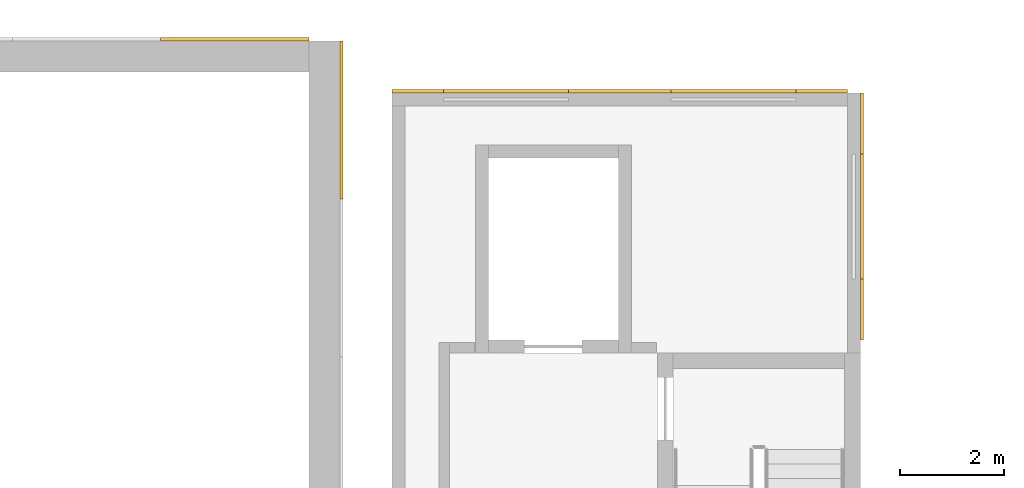
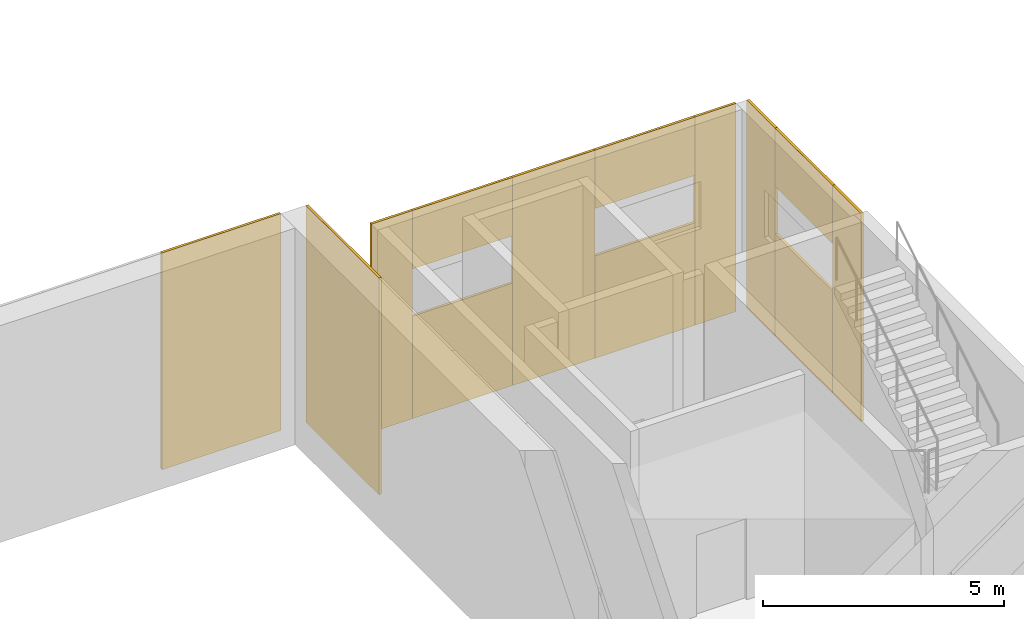
# One storey, part 99 of 112: 13 coverings.
"""IFC4 building model written with IfcOpenShell, lengths in metres."""

from ifc_helpers import new_model, si_unit, direction, frame, origin, origin_2d, place, context, subcontext, project, spatial, rectangle, extrude, material, layer, layer_set, type_object, element, save


model = new_model("IFC4")

# Units and contexts
model_context = context("Model", 3, precision=1e-05, world=origin(), true_north=direction((0.0, 1.0)))
body_context = subcontext(model_context, "Body", "Model", "MODEL_VIEW")
ifc_project = project(units=[si_unit("LENGTHUNIT", "METRE"), si_unit("AREAUNIT", "SQUARE_METRE"), si_unit("VOLUMEUNIT", "CUBIC_METRE"), si_unit("PLANEANGLEUNIT", "RADIAN"), si_unit("MASSUNIT", "GRAM", prefix="KILO")], contexts=[model_context])

# Site, building, storey
site_placement = place(None, origin())
site = spatial("IfcSite", under=ifc_project, at=site_placement, CompositionType="ELEMENT")
building_placement = place(site_placement, origin())
building = spatial("IfcBuilding", under=site, at=building_placement, Name="Lunette Opera House", CompositionType="ELEMENT")
storey_placement = place(building_placement, frame((0.0, 0.0, 6.0)))
storey = spatial("IfcBuildingStorey", under=building, at=storey_placement, Name="L01", CompositionType="ELEMENT", Elevation=6.0)

# Coverings
ifc_material = material(Name="Aluminium standing seam cladding", Category="aluminium")
ifc_layer = layer(ifc_material, 0.06005859375)
ifc_layer_set = layer_set([ifc_layer], Name="Aluminium standing seam cladding")
covering_type = type_object("IfcCoveringType", Name="STANDING SEAM CLADDING 60", PredefinedType="CLADDING", material=ifc_layer_set)
covering_1_placement = place(storey_placement, frame((108.030029296875, 134.47998046875, 0.0), z_axis=(0.0, 0.0, 1.0), x_axis=(0.0, 1.0, 0.0)))
element("IfcCovering", 1, at=covering_1_placement, inside=storey, type_object=covering_type, Name="Standing seam cladding SR-E-1 L01 04", PredefinedType="CLADDING", context=body_context, shape_type="SweptSolid", body=[
    extrude(rectangle(XDim=3.0400390625, YDim=0.06005859375, at=origin_2d()), origin(), (0.0, 0.0, 1.0), 5.5),
])
covering_2_placement = place(storey_placement, frame((105.97509765625, 136.030029296875, 0.0), z_axis=(0.0, 0.0, 1.0), x_axis=(1.0, 0.0, 0.0)))
element("IfcCovering", 2, at=covering_2_placement, inside=storey, type_object=covering_type, Name="Standing seam cladding SR-N-1 L01 07", PredefinedType="CLADDING", context=body_context, shape_type="SweptSolid", body=[
    extrude(rectangle(XDim=2.85009765625, YDim=0.06005859375, at=origin_2d()), origin(), (0.0, 0.0, 1.0), 5.5),
])
covering_3_placement = place(storey_placement, frame((118.030029296875, 130.837890625, 0.0), z_axis=(0.0, 0.0, 1.0), x_axis=(0.0, 1.0, 0.0)))
element("IfcCovering", 3, at=covering_3_placement, inside=storey, type_object=covering_type, Name="Standing seam cladding TE7 L01 00", PredefinedType="CLADDING", context=body_context, shape_type="SweptSolid", body=[
    extrude(rectangle(XDim=1.175048828125, YDim=0.06005859375, at=origin_2d()), origin(), (0.0, 0.0, 1.0), 5.280029296875),
])
covering_4_placement = place(storey_placement, frame((118.030029296875, 132.625, 0.0), z_axis=(0.0, 0.0, 1.0), x_axis=(0.0, 1.0, 0.0)))
element("IfcCovering", 4, at=covering_4_placement, inside=storey, type_object=covering_type, Name="Standing seam cladding TE7 L01 10", PredefinedType="CLADDING", context=body_context, shape_type="SweptSolid", body=[
    extrude(rectangle(XDim=2.39990234375, YDim=0.06005859375, at=origin_2d()), origin(), (0.0, 0.0, 1.0), 2.60009765625),
])
covering_5_placement = place(storey_placement, frame((118.030029296875, 132.625, 3.800048828125), z_axis=(0.0, 0.0, 1.0), x_axis=(0.0, 1.0, 0.0)))
element("IfcCovering", 5, at=covering_5_placement, inside=storey, type_object=covering_type, Name="Standing seam cladding TE7 L01 11", PredefinedType="CLADDING", context=body_context, shape_type="SweptSolid", body=[
    extrude(rectangle(XDim=2.39990234375, YDim=0.06005859375, at=origin_2d()), origin(), (0.0, 0.0, 1.0), 1.47998046875),
])
covering_6_placement = place(storey_placement, frame((118.030029296875, 134.412109375, 0.0), z_axis=(0.0, 0.0, 1.0), x_axis=(0.0, 1.0, 0.0)))
element("IfcCovering", 6, at=covering_6_placement, inside=storey, type_object=covering_type, Name="Standing seam cladding TE7 L01 20", PredefinedType="CLADDING", context=body_context, shape_type="SweptSolid", body=[
    extrude(rectangle(XDim=1.175048828125, YDim=0.06005859375, at=origin_2d()), origin(), (0.0, 0.0, 1.0), 5.280029296875),
])
covering_7_placement = place(storey_placement, frame((117.256103515625, 135.030029296875, 0.0), z_axis=(0.0, 0.0, 1.0), x_axis=(-1.0, 0.0, 0.0)))
element("IfcCovering", 7, at=covering_7_placement, inside=storey, type_object=covering_type, Name="Standing seam cladding TE8 L01 00", PredefinedType="CLADDING", context=body_context, shape_type="SweptSolid", body=[
    extrude(rectangle(XDim=0.988037109375, YDim=0.06005859375, at=origin_2d()), origin(), (0.0, 0.0, 1.0), 5.280029296875),
])
covering_8_placement = place(storey_placement, frame((115.56201171875, 135.030029296875, 0.0), z_axis=(0.0, 0.0, 1.0), x_axis=(-1.0, 0.0, 0.0)))
element("IfcCovering", 8, at=covering_8_placement, inside=storey, type_object=covering_type, Name="Standing seam cladding TE8 L01 10", PredefinedType="CLADDING", context=body_context, shape_type="SweptSolid", body=[
    extrude(rectangle(XDim=2.39990234375, YDim=0.06005859375, at=origin_2d()), origin(), (0.0, 0.0, 1.0), 2.60009765625),
])
covering_9_placement = place(storey_placement, frame((115.56201171875, 135.030029296875, 3.800048828125), z_axis=(0.0, 0.0, 1.0), x_axis=(-1.0, 0.0, 0.0)))
element("IfcCovering", 9, at=covering_9_placement, inside=storey, type_object=covering_type, Name="Standing seam cladding TE8 L01 11", PredefinedType="CLADDING", context=body_context, shape_type="SweptSolid", body=[
    extrude(rectangle(XDim=2.39990234375, YDim=0.06005859375, at=origin_2d()), origin(), (0.0, 0.0, 1.0), 1.47998046875),
])
covering_10_placement = place(storey_placement, frame((113.375, 135.030029296875, 0.0), z_axis=(0.0, 0.0, 1.0), x_axis=(-1.0, 0.0, 0.0)))
element("IfcCovering", 10, at=covering_10_placement, inside=storey, type_object=covering_type, Name="Standing seam cladding TE8 L01 20", PredefinedType="CLADDING", context=body_context, shape_type="SweptSolid", body=[
    extrude(rectangle(XDim=1.97509765625, YDim=0.06005859375, at=origin_2d()), origin(), (0.0, 0.0, 1.0), 5.280029296875),
])
covering_11_placement = place(storey_placement, frame((111.18798828125, 135.030029296875, 0.0), z_axis=(0.0, 0.0, 1.0), x_axis=(-1.0, 0.0, 0.0)))
element("IfcCovering", 11, at=covering_11_placement, inside=storey, type_object=covering_type, Name="Standing seam cladding TE8 L01 30", PredefinedType="CLADDING", context=body_context, shape_type="SweptSolid", body=[
    extrude(rectangle(XDim=2.39990234375, YDim=0.06005859375, at=origin_2d()), origin(), (0.0, 0.0, 1.0), 2.60009765625),
])
covering_12_placement = place(storey_placement, frame((111.18798828125, 135.030029296875, 3.800048828125), z_axis=(0.0, 0.0, 1.0), x_axis=(-1.0, 0.0, 0.0)))
element("IfcCovering", 12, at=covering_12_placement, inside=storey, type_object=covering_type, Name="Standing seam cladding TE8 L01 31", PredefinedType="CLADDING", context=body_context, shape_type="SweptSolid", body=[
    extrude(rectangle(XDim=2.39990234375, YDim=0.06005859375, at=origin_2d()), origin(), (0.0, 0.0, 1.0), 1.47998046875),
])
covering_13_placement = place(storey_placement, frame((109.493896484375, 135.030029296875, 0.0), z_axis=(0.0, 0.0, 1.0), x_axis=(-1.0, 0.0, 0.0)))
element("IfcCovering", 13, at=covering_13_placement, inside=storey, type_object=covering_type, Name="Standing seam cladding TE8 L01 40", PredefinedType="CLADDING", context=body_context, shape_type="SweptSolid", body=[
    extrude(rectangle(XDim=0.987060546875, YDim=0.06005859375, at=origin_2d()), origin(), (0.0, 0.0, 1.0), 5.280029296875),
])

save(model, "model.ifc")
